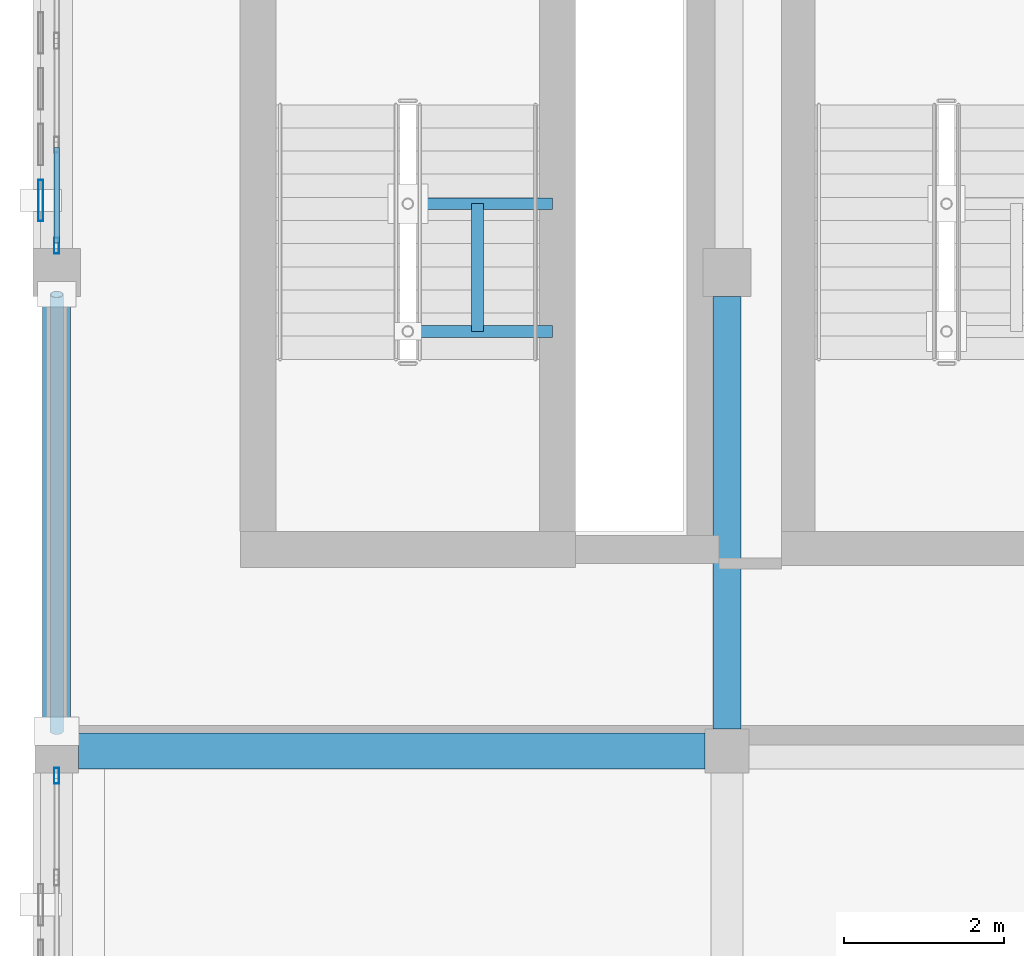
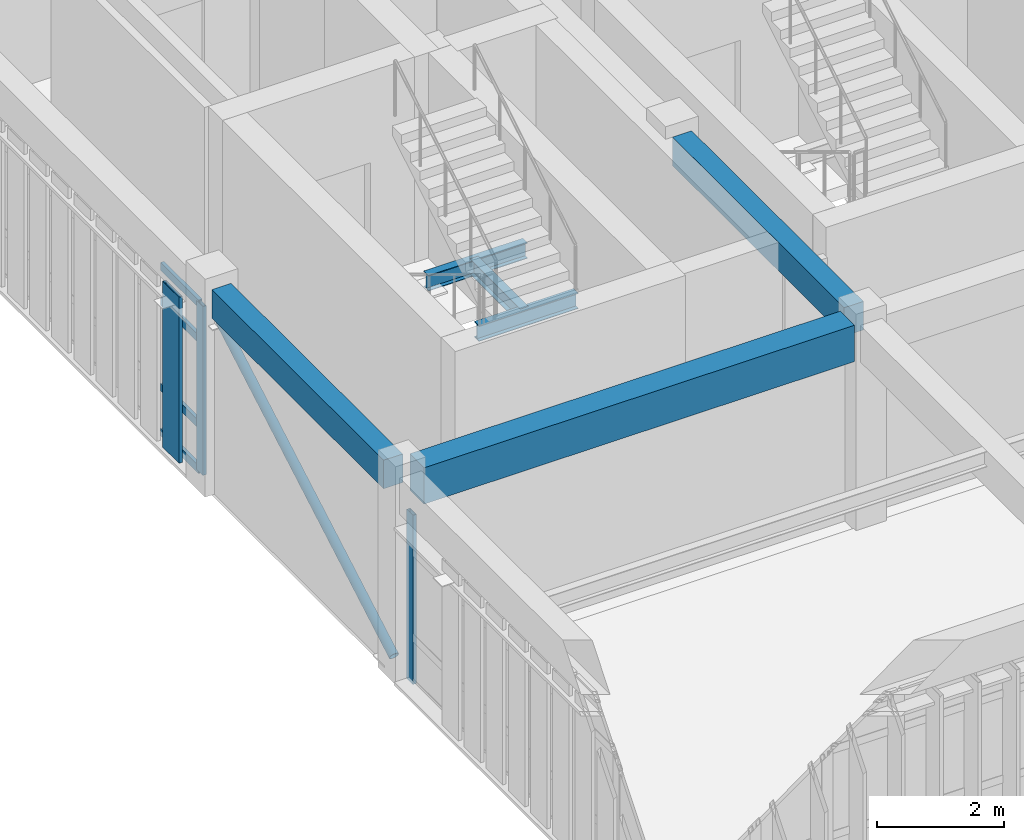
# One storey, part 7 of 21: 8 members, 6 beams, 2 elements without a shape of their own.
"""IFC4 building model written with IfcOpenShell, lengths in metres."""

from ifc_helpers import new_model, si_unit, direction, frame, origin, origin_2d, place, context, subcontext, project, spatial, rectangle, hollow_rectangle, hollow_circle, i_section, extrude, material, layer, layer_set, material_profile, profile_set, type_object, element, aggregate, save


model = new_model("IFC4")

# Units and contexts
model_context = context("Model", 3, precision=1e-05, world=origin(), true_north=direction((0.0, 1.0)))
body_context = subcontext(model_context, "Body", "Model", "MODEL_VIEW")
ifc_project = project(units=[si_unit("LENGTHUNIT", "METRE"), si_unit("AREAUNIT", "SQUARE_METRE"), si_unit("VOLUMEUNIT", "CUBIC_METRE"), si_unit("PLANEANGLEUNIT", "RADIAN"), si_unit("MASSUNIT", "GRAM", prefix="KILO")], contexts=[model_context])

# Site, building, storey
site_placement = place(None, origin())
site = spatial("IfcSite", under=ifc_project, at=site_placement, CompositionType="ELEMENT")
building_placement = place(site_placement, origin())
building = spatial("IfcBuilding", under=site, at=building_placement, Name="Krzemoval Escarpment Law Courts", CompositionType="ELEMENT")
storey_placement = place(building_placement, frame((0.0, 0.0, 37.800048828125)))
storey = spatial("IfcBuildingStorey", under=building, at=storey_placement, Name="L08", CompositionType="ELEMENT", Elevation=37.800048828125)

# Beams
ifc_material_1 = material(Name="Concrete C40/50", Category="concrete")
ifc_material_profile_1 = material_profile(ifc_material_1, rectangle(XDim=0.35009765625, YDim=0.550048828125, at=origin_2d()), Name="RCB 350x550")
ifc_profile_set_1 = profile_set([ifc_material_profile_1], Name="Concrete C40/50")
beam_type_1 = type_object("IfcBeamType", Name="BM-RC-350x550", PredefinedType="BEAM", material=ifc_profile_set_1)
for number, where, z_axis, x_axis, name in (
    (1, (126.0, 93.875, 3.68505859375), (0.0, 1.0, 0.0), (-1.0, 0.0, 0.0), "Beam FG-L08-2760"),
    (2, (134.39990234375, 93.875, 3.68505859375), (0.0, 1.0, 0.0), (-1.0, 0.0, 0.0), "Beam FG-L08-2765"),
):
    element("IfcBeam", number, at=place(storey_placement, frame(where, z_axis=z_axis, x_axis=x_axis)), inside=storey, type_object=beam_type_1, Name=name, PredefinedType="BEAM", context=body_context, shape_type="SweptSolid", body=[
        extrude(rectangle(XDim=0.35009765625, YDim=0.550048828125, at=origin_2d()), origin(), (0.0, 0.0, 1.0), 5.425048828125),
    ])
ifc_material_2 = material(Name="Concrete C40/50", Category="concrete")
ifc_material_profile_2 = material_profile(ifc_material_2, rectangle(XDim=0.449951171875, YDim=0.699951171875, at=origin_2d()), Name="RCB 450x700")
ifc_profile_set_2 = profile_set([ifc_material_profile_2], Name="Concrete C40/50")
beam_type_2 = type_object("IfcBeamType", Name="BM-RC-450x700", PredefinedType="BEAM", material=ifc_profile_set_2)
beam_1_placement = place(storey_placement, frame((126.27490234375, 93.60009765625, 3.60986328125), z_axis=(1.0, 0.0, 0.0), x_axis=(0.0, 1.0, 0.0)))
element("IfcBeam", 3, at=beam_1_placement, inside=storey, type_object=beam_type_2, Name="Beam FG-L08-2745", PredefinedType="BEAM", context=body_context, shape_type="SweptSolid", body=[
    extrude(rectangle(XDim=0.449951171875, YDim=0.699951171875, at=origin_2d()), origin(), (0.0, 0.0, 1.0), 7.85009765625),
])

# Curtain wall, member
ifc_material_3 = material(Name="Aluminium 6063-T6", Category="aluminium")
ifc_layer = layer(ifc_material_3, 0.219970703125)
ifc_layer_set = layer_set([ifc_layer], Name="Aluminium 6063-T6")
curtain_wall_type = type_object("IfcCurtainWallType", Name="CW-CHMB-4200", PredefinedType="USERDEFINED", material=ifc_layer_set)
curtain_wall_1_placement = place(storey_placement, origin())
curtain_wall_1 = element("IfcCurtainWall", 4, at=curtain_wall_1_placement, inside=storey, type_object=curtain_wall_type, Name="Unitised Curtain Wall FCW-L08-162", ObjectType="UNITISED_CURTAIN_WALL", PredefinedType="USERDEFINED")
ifc_material_4 = material(Name="Aluminium 6063-T6", Category="aluminium")
ifc_material_profile_3 = material_profile(ifc_material_4, hollow_rectangle(XDim=0.06494140625, YDim=0.199951171875, WallThickness=0.00439453125, at=origin_2d()), Name="ALU M65x200")
ifc_profile_set_3 = profile_set([ifc_material_profile_3], Name="Aluminium 6063-T6")
member_type_1 = type_object("IfcMemberType", Name="CWM-65x200", PredefinedType="MULLION", material=ifc_profile_set_3)
member_1_placement = place(storey_placement, frame((126.0, 93.29248046875, 0.0), z_axis=(0.0, 0.0, 1.0), x_axis=(-1.0, 0.0, 0.0)))
member_1 = element("IfcMember", 5, at=member_1_placement, type_object=member_type_1, Name="FCW-L08-162 mullion 7", PredefinedType="MULLION", context=body_context, shape_type="SweptSolid", body=[
    extrude(hollow_rectangle(XDim=0.06494140625, YDim=0.199951171875, WallThickness=0.00439453125, at=origin_2d()), origin(), (0.0, 0.0, 1.0), 3.260009765625),
])
aggregate(curtain_wall_1, [member_1])

# Curtain wall, members
curtain_wall_2_placement = place(storey_placement, origin())
curtain_wall_2 = element("IfcCurtainWall", 6, at=curtain_wall_2_placement, inside=storey, type_object=curtain_wall_type, Name="Unitised Curtain Wall FCW-L08-163", ObjectType="UNITISED_CURTAIN_WALL", PredefinedType="USERDEFINED")
member_2_placement = place(storey_placement, frame((126.0, 99.9326171875, 0.0), z_axis=(0.0, 0.0, 1.0), x_axis=(-1.0, 0.0, 0.0)))
member_2 = element("IfcMember", 7, at=member_2_placement, type_object=member_type_1, Name="FCW-L08-163 mullion 1", PredefinedType="MULLION", context=body_context, shape_type="SweptSolid", body=[
    extrude(hollow_rectangle(XDim=0.06494140625, YDim=0.199951171875, WallThickness=0.00439453125, at=origin_2d()), origin(), (0.0, 0.0, 1.0), 3.260009765625),
])
ifc_material_5 = material(Name="Aluminium 6063-T6", Category="aluminium")
ifc_material_profile_4 = material_profile(ifc_material_5, hollow_rectangle(XDim=0.06494140625, YDim=0.14990234375, WallThickness=0.00439453125, at=origin_2d()), Name="ALU T65x150")
ifc_profile_set_4 = profile_set([ifc_material_profile_4], Name="Aluminium 6063-T6")
member_type_2 = type_object("IfcMemberType", Name="CWT-65x150", PredefinedType="USERDEFINED", material=ifc_profile_set_4)
member_3_placement = place(storey_placement, frame((126.0, 99.965087890625, 0.032470703125), z_axis=(0.0, 1.0, 0.0), x_axis=(-1.0, 0.0, 0.0)))
member_3 = element("IfcMember", 8, at=member_3_placement, type_object=member_type_2, Name="FCW-L08-163 transom 1.1", ObjectType="TRANSOM", PredefinedType="USERDEFINED", context=body_context, shape_type="SweptSolid", body=[
    extrude(hollow_rectangle(XDim=0.06494140625, YDim=0.14990234375, WallThickness=0.00439453125, at=origin_2d()), origin(), (0.0, 0.0, 1.0), 1.202392578125),
])
member_4_placement = place(storey_placement, frame((126.0, 99.965087890625, 0.89990234375), z_axis=(0.0, 1.0, 0.0), x_axis=(-1.0, 0.0, 0.0)))
member_4 = element("IfcMember", 9, at=member_4_placement, type_object=member_type_2, Name="FCW-L08-163 transom 1.2", ObjectType="TRANSOM", PredefinedType="USERDEFINED", context=body_context, shape_type="SweptSolid", body=[
    extrude(hollow_rectangle(XDim=0.06494140625, YDim=0.14990234375, WallThickness=0.00439453125, at=origin_2d()), origin(), (0.0, 0.0, 1.0), 1.202392578125),
])
member_5_placement = place(storey_placement, frame((126.0, 99.965087890625, 2.550048828125), z_axis=(0.0, 1.0, 0.0), x_axis=(-1.0, 0.0, 0.0)))
member_5 = element("IfcMember", 10, at=member_5_placement, type_object=member_type_2, Name="FCW-L08-163 transom 1.3", ObjectType="TRANSOM", PredefinedType="USERDEFINED", context=body_context, shape_type="SweptSolid", body=[
    extrude(hollow_rectangle(XDim=0.06494140625, YDim=0.14990234375, WallThickness=0.00439453125, at=origin_2d()), origin(), (0.0, 0.0, 1.0), 1.202392578125),
])
member_6_placement = place(storey_placement, frame((126.0, 99.965087890625, 3.2275390625), z_axis=(0.0, 1.0, 0.0), x_axis=(-1.0, 0.0, 0.0)))
member_6 = element("IfcMember", 11, at=member_6_placement, type_object=member_type_2, Name="FCW-L08-163 transom 1.4", ObjectType="TRANSOM", PredefinedType="USERDEFINED", context=body_context, shape_type="SweptSolid", body=[
    extrude(hollow_rectangle(XDim=0.06494140625, YDim=0.14990234375, WallThickness=0.00439453125, at=origin_2d()), origin(), (0.0, 0.0, 1.0), 1.202392578125),
])
aggregate(curtain_wall_2, [member_2, member_3, member_4, member_5, member_6])

# Beams
ifc_material_6 = material(Name="Steel S355", Category="steel")
ifc_material_profile_5 = material_profile(ifc_material_6, i_section(OverallWidth=0.14990234375, OverallDepth=0.300048828125, WebThickness=0.007080078125, FlangeThickness=0.0107421875, at=origin_2d()), Name="IPE 300")
ifc_profile_set_5 = profile_set([ifc_material_profile_5], Name="Steel S355")
beam_type_3 = type_object("IfcBeamType", Name="JST-S355-IPE300", PredefinedType="JOIST", material=ifc_profile_set_5)
for number, where, z_axis, x_axis, name in (
    (12, (130.39990234375, 98.860107421875, 1.820068359375), (1.0, 0.0, 0.0), (0.0, 1.0, 0.0), "Stair Well Crosshead SLHW-C1-L08-1"),
    (13, (130.39990234375, 100.4599609375, 1.820068359375), (1.0, 0.0, 0.0), (0.0, 1.0, 0.0), "Stair Well Crosshead SLHW-C1-L08-2"),
):
    element("IfcBeam", number, at=place(storey_placement, frame(where, z_axis=z_axis, x_axis=x_axis)), inside=storey, type_object=beam_type_3, Name=name, PredefinedType="JOIST", context=body_context, shape_type="SweptSolid", body=[
        extrude(i_section(OverallWidth=0.14990234375, OverallDepth=0.300048828125, WebThickness=0.007080078125, FlangeThickness=0.0107421875, at=origin_2d()), origin(), (0.0, 0.0, 1.0), 1.81005859375),
    ])
beam_2_placement = place(storey_placement, frame((131.27490234375, 98.860107421875, 1.820068359375), z_axis=(0.0, 1.0, 0.0), x_axis=(-1.0, 0.0, 0.0)))
element("IfcBeam", 14, at=beam_2_placement, inside=storey, type_object=beam_type_3, Name="Stair Flight Support Stringer SLTW-C1-L08", PredefinedType="JOIST", context=body_context, shape_type="SweptSolid", body=[
    extrude(i_section(OverallWidth=0.14990234375, OverallDepth=0.300048828125, WebThickness=0.007080078125, FlangeThickness=0.0107421875, at=origin_2d()), origin(), (0.0, 0.0, 1.0), 1.599853515625),
])

# Members
ifc_material_7 = material(Name="Anodised Aluminium Alloy 6063-T6", Category="aluminium")
ifc_material_profile_6 = material_profile(ifc_material_7, hollow_rectangle(XDim=0.06494140625, YDim=0.52001953125, WallThickness=0.00439453125, at=origin_2d()), Name="ALU LVR 65x520")
ifc_profile_set_6 = profile_set([ifc_material_profile_6], Name="Anodised Aluminium Alloy 6063-T6")
member_type_3 = type_object("IfcMemberType", Name="LVR-ALU-520", PredefinedType="USERDEFINED", material=ifc_profile_set_6)
member_7_placement = place(storey_placement, frame((125.800048828125, 100.5, 0.06005859375), z_axis=(0.0, 0.0, 1.0), x_axis=(1.0, 0.0, 0.0)))
element("IfcMember", 15, at=member_7_placement, inside=storey, type_object=member_type_3, Name="Sunshade Louvre Fin FLV-L08-1080", ObjectType="SUNSHADE_LOUVRE", PredefinedType="USERDEFINED", context=body_context, shape_type="SweptSolid", body=[
    extrude(hollow_rectangle(XDim=0.06494140625, YDim=0.52001953125, WallThickness=0.00439453125, at=origin_2d()), origin(), (0.0, 0.0, 1.0), 3.199951171875),
])
ifc_material_8 = material(Name="Steel S355", Category="steel")
ifc_material_profile_7 = material_profile(ifc_material_8, hollow_circle(Radius=0.084228515625, WallThickness=0.008056640625, at=origin_2d()), Name="CHS 168.3x8")
ifc_profile_set_7 = profile_set([ifc_material_profile_7], Name="Steel S355")
member_type_4 = type_object("IfcMemberType", Name="MBR-BRC-CHS168", PredefinedType="BRACE", material=ifc_profile_set_7)
member_8_placement = place(storey_placement, frame((126.0, 93.85009765625, 0.139892578125), z_axis=(0.0, 0.867446960557, 0.49752966808), x_axis=(-1.0, 0.0, 0.0)))
element("IfcMember", 16, at=member_8_placement, inside=storey, type_object=member_type_4, Name="Lateral Diagonal Brace BR-0253", PredefinedType="BRACE", context=body_context, shape_type="SweptSolid", body=[
    extrude(hollow_circle(Radius=0.084228515625, WallThickness=0.008056640625, at=origin_2d()), origin(), (0.0, 0.0, 1.0), 6.3115234375),
])

save(model, "model.ifc")
